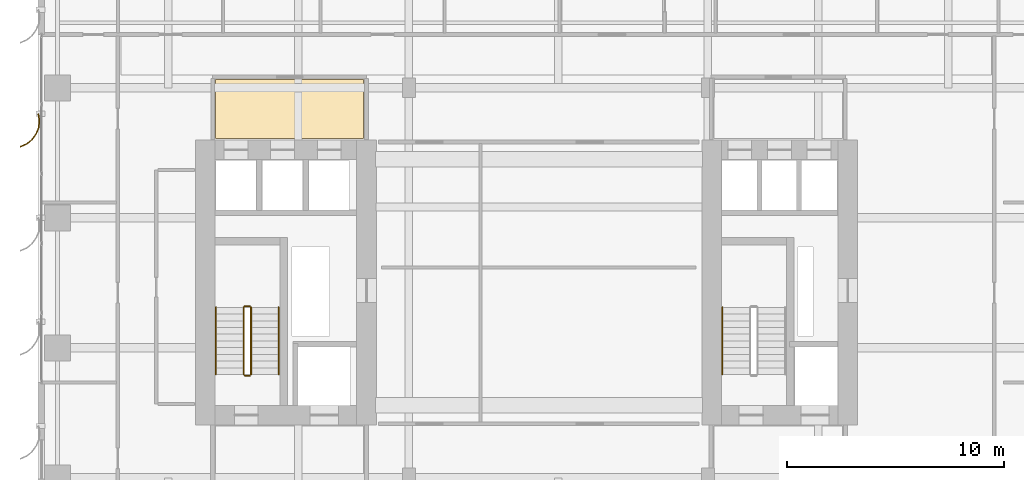
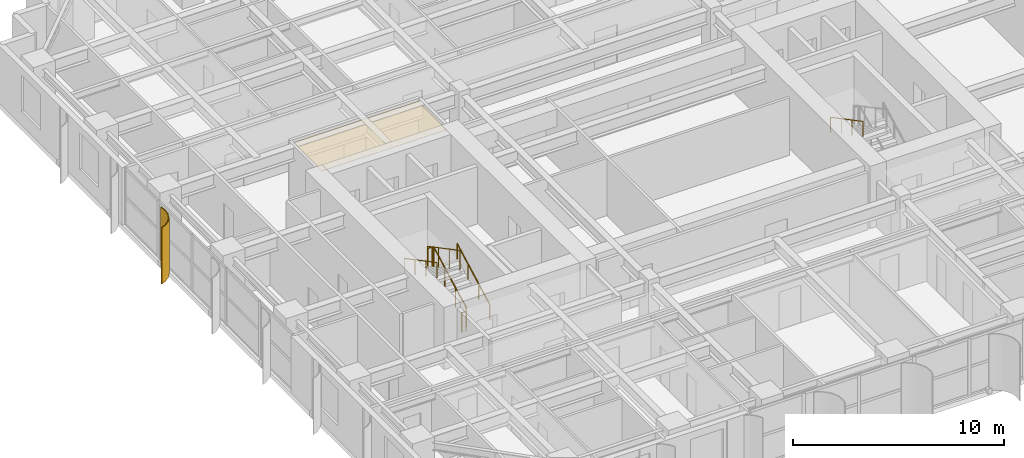
# One storey, part 21 of 23: 7 railings, 1 covering, 1 shading device.
"""IFC4 building model written with IfcOpenShell, lengths in metres."""

from ifc_helpers import new_model, si_unit, direction, frame, origin, origin_2d, place, context, subcontext, project, spatial, polyline, circle, outline, extrude, source, transform, mapped, material, layer, layer_set, type_object, element, save


model = new_model("IFC4")

# Units and contexts
model_context = context("Model", 3, precision=1e-05, world=origin(), true_north=direction((0.0, 1.0)))
body_context = subcontext(model_context, "Body", "Model", "MODEL_VIEW")
ifc_project = project(units=[si_unit("LENGTHUNIT", "METRE"), si_unit("AREAUNIT", "SQUARE_METRE"), si_unit("VOLUMEUNIT", "CUBIC_METRE"), si_unit("PLANEANGLEUNIT", "RADIAN"), si_unit("MASSUNIT", "GRAM", prefix="KILO")], contexts=[model_context])

# Site, building, storey
site_placement = place(None, origin())
site = spatial("IfcSite", under=ifc_project, at=site_placement, CompositionType="ELEMENT")
building_placement = place(site_placement, origin())
building = spatial("IfcBuilding", under=site, at=building_placement, Name="Khoralis Quay Care Tower", CompositionType="ELEMENT")
storey_placement = place(building_placement, frame((0.0, 0.0, 36.89990234375)))
storey = spatial("IfcBuildingStorey", under=building, at=storey_placement, Name="L09", CompositionType="ELEMENT", Elevation=36.89990234375)

# Covering
ifc_material_1 = material(Name="Mineral-fibre acoustic ceiling tile")
ifc_layer_1 = layer(ifc_material_1, 0.01806640625)
ifc_layer_set_1 = layer_set([ifc_layer_1], Name="Mineral-fibre acoustic ceiling tile")
covering_type = type_object("IfcCoveringType", Name="COV-CEIL-AC18", PredefinedType="CEILING", material=ifc_layer_set_1)
covering_placement = place(storey_placement, frame((0.0, 0.0, 3.172119140625)))
element("IfcCovering", 1, at=covering_placement, inside=storey, type_object=covering_type, Name="Suspended Acoustic Ceiling SP-L09-LLOB-W", PredefinedType="CEILING", context=body_context, shape_type="SweptSolid", body=[
    extrude(outline(polyline([(8.179931640625, 27.64990234375), (15.02001953125, 27.64990234375), (15.02001953125, 30.389892578125), (8.179931640625, 30.389892578125), (8.179931640625, 27.64990234375)])), origin(), (0.0, 0.0, 1.0), 0.01806640625),
])

# Railings
ifc_material_2 = material(Name="Brushed stainless steel", Category="steel")
railing_type_1 = type_object("IfcRailingType", Name="RL-GUARD-1150", PredefinedType="GUARDRAIL", material=ifc_material_2)
railing_1_placement = place(storey_placement, frame((9.820068359375, 16.77001953125, 0.163818359375)))
element("IfcRailing", 2, at=railing_1_placement, inside=storey, type_object=railing_type_1, Name="L09 ST-T1 stair guard 1", PredefinedType="GUARDRAIL", context=body_context, shape_type="SweptSolid", body=[
    extrude(circle(Radius=0.02392578125, at=origin_2d()), frame((0.0, 0.0, 1.1259765625), z_axis=(0.0, 0.884376766648, 0.46677375099), x_axis=(-1.0, 0.0, 0.0)), (0.0, 0.0, 1.0), 3.50537109375),
    extrude(circle(Radius=0.02099609375, at=origin_2d()), origin(), (0.0, 0.0, 1.0), 1.101806640625),
    extrude(circle(Radius=0.02099609375, at=origin_2d()), frame((0.0, 1.033447265625, 0.54541015625)), (0.0, 0.0, 1.0), 1.101806640625),
    extrude(circle(Radius=0.02099609375, at=origin_2d()), frame((0.0, 2.066650390625, 1.0908203125)), (0.0, 0.0, 1.0), 1.101806640625),
    extrude(circle(Radius=0.02099609375, at=origin_2d()), frame((0.0, 3.10009765625, 1.63623046875)), (0.0, 0.0, 1.0), 1.101806640625),
])
railing_2_placement = place(storey_placement, frame((9.77001953125, 19.919921875, 1.800048828125)))
element("IfcRailing", 3, at=railing_2_placement, inside=storey, type_object=railing_type_1, Name="L09 ST-T1 stair guard 2", PredefinedType="GUARDRAIL", context=body_context, shape_type="SweptSolid", body=[
    extrude(circle(Radius=0.02392578125, at=origin_2d()), frame((0.0, 0.0, 1.1259765625), z_axis=(-1.0, 0.0, 0.0), x_axis=(0.0, -1.0, 0.0)), (0.0, 0.0, 1.0), 0.239990234375),
    extrude(circle(Radius=0.02099609375, at=origin_2d()), origin(), (0.0, 0.0, 1.0), 1.101806640625),
    extrude(circle(Radius=0.02099609375, at=origin_2d()), frame((-0.239990234375, 0.0, 0.0)), (0.0, 0.0, 1.0), 1.101806640625),
])
railing_3_placement = place(storey_placement, frame((9.47998046875, 19.8701171875, 1.963623046875)))
element("IfcRailing", 4, at=railing_3_placement, inside=storey, type_object=railing_type_1, Name="L09 ST-T1 stair guard 3", PredefinedType="GUARDRAIL", context=body_context, shape_type="SweptSolid", body=[
    extrude(circle(Radius=0.02392578125, at=origin_2d()), frame((0.0, 0.0, 1.1259765625), z_axis=(0.0, -0.884348015382, 0.466828220752), x_axis=(1.0, 0.0, 0.0)), (0.0, 0.0, 1.0), 3.505615234375),
    extrude(circle(Radius=0.02099609375, at=origin_2d()), origin(), (0.0, 0.0, 1.0), 1.101806640625),
    extrude(circle(Radius=0.02099609375, at=origin_2d()), frame((0.0, -1.033447265625, 0.54541015625)), (0.0, 0.0, 1.0), 1.101806640625),
    extrude(circle(Radius=0.02099609375, at=origin_2d()), frame((0.0, -2.066650390625, 1.091064453125)), (0.0, 0.0, 1.0), 1.101806640625),
    extrude(circle(Radius=0.02099609375, at=origin_2d()), frame((0.0, -3.10009765625, 1.636474609375)), (0.0, 0.0, 1.0), 1.101806640625),
])
railing_4_placement = place(storey_placement, frame((9.77001953125, 16.719970703125, 0.0)))
element("IfcRailing", 5, at=railing_4_placement, inside=storey, type_object=railing_type_1, Name="L09 ST-T1 stair guard 4", PredefinedType="GUARDRAIL", context=body_context, shape_type="SweptSolid", body=[
    extrude(circle(Radius=0.02392578125, at=origin_2d()), frame((0.0, 0.0, 1.1259765625), z_axis=(-1.0, 0.0, 0.0), x_axis=(0.0, -1.0, 0.0)), (0.0, 0.0, 1.0), 0.239990234375),
    extrude(circle(Radius=0.02099609375, at=origin_2d()), origin(), (0.0, 0.0, 1.0), 1.101806640625),
    extrude(circle(Radius=0.02099609375, at=origin_2d()), frame((-0.239990234375, 0.0, 0.0)), (0.0, 0.0, 1.0), 1.101806640625),
])
railing_type_2 = type_object("IfcRailingType", Name="RL-HAND-900", PredefinedType="HANDRAIL", material=ifc_material_2)
railing_5_placement = place(storey_placement, frame((11.10009765625, 16.77001953125, 0.163818359375)))
element("IfcRailing", 6, at=railing_5_placement, inside=storey, type_object=railing_type_2, Name="L09 ST-T1 stair handrail 1", PredefinedType="HANDRAIL", context=body_context, shape_type="SweptSolid", body=[
    extrude(circle(Radius=0.02392578125, at=origin_2d()), frame((0.0, 0.0, 0.8759765625), z_axis=(0.0, 0.884376766648, 0.46677375099), x_axis=(-1.0, 0.0, 0.0)), (0.0, 0.0, 1.0), 3.50537109375),
    extrude(circle(Radius=0.02099609375, at=origin_2d()), origin(), (0.0, 0.0, 1.0), 0.851806640625),
    extrude(circle(Radius=0.02099609375, at=origin_2d()), frame((0.0, 1.033447265625, 0.54541015625)), (0.0, 0.0, 1.0), 0.851806640625),
    extrude(circle(Radius=0.02099609375, at=origin_2d()), frame((0.0, 2.066650390625, 1.0908203125)), (0.0, 0.0, 1.0), 0.851806640625),
    extrude(circle(Radius=0.02099609375, at=origin_2d()), frame((0.0, 3.10009765625, 1.63623046875)), (0.0, 0.0, 1.0), 0.851806640625),
])
for number, where, name in (
    (7, (8.199951171875, 19.8701171875, 1.963623046875), "L09 ST-T1 stair handrail 2"),
    (8, (31.570068359375, 19.8701171875, 1.963623046875), "L09 ST-T2 stair handrail 2"),
):
    element("IfcRailing", number, at=place(storey_placement, frame(where)), inside=storey, type_object=railing_type_2, Name=name, PredefinedType="HANDRAIL", context=body_context, shape_type="SweptSolid", body=[
        extrude(circle(Radius=0.02392578125, at=origin_2d()), frame((0.0, 0.0, 0.8759765625), z_axis=(0.0, -0.884348015382, 0.466828220752), x_axis=(1.0, 0.0, 0.0)), (0.0, 0.0, 1.0), 3.505615234375),
        extrude(circle(Radius=0.02099609375, at=origin_2d()), origin(), (0.0, 0.0, 1.0), 0.851806640625),
        extrude(circle(Radius=0.02099609375, at=origin_2d()), frame((0.0, -1.033447265625, 0.54541015625)), (0.0, 0.0, 1.0), 0.851806640625),
        extrude(circle(Radius=0.02099609375, at=origin_2d()), frame((0.0, -2.066650390625, 1.091064453125)), (0.0, 0.0, 1.0), 0.851806640625),
        extrude(circle(Radius=0.02099609375, at=origin_2d()), frame((0.0, -3.10009765625, 1.636474609375)), (0.0, 0.0, 1.0), 0.851806640625),
    ])

# Shading device
ifc_material_3 = material(Name="Brushed pale anodised aluminium", Category="aluminium")
ifc_layer_2 = layer(ifc_material_3, 0.044921875)
ifc_layer_set_2 = layer_set([ifc_layer_2], Name="Brushed pale anodised aluminium")
shading_device_type = type_object("IfcShadingDeviceType", Name="SHD-FIN-1250", PredefinedType="USERDEFINED", material=ifc_layer_set_2)
shared_shape = source(origin(), body_context, "Body", "SweptSolid", [
    extrude(outline(polyline([(0.0, 0.0), (-0.04833984375, 0.32275390625), (-0.01123046875, 0.64697265625), (0.1083984375, 0.950439453125), (0.302490234375, 1.212890625), (0.557861328125, 1.416015625), (0.85693359375, 1.546142578125), (0.869384765625, 1.5029296875), (0.5810546875, 1.37744140625), (0.334716796875, 1.181640625), (0.147705078125, 0.9287109375), (0.032470703125, 0.635986328125), (-0.003173828125, 0.323486328125), (0.043212890625, 0.012451171875), (0.0, 0.0)])), origin(), (0.0, 0.0, 1.0), 3.260009765625),
])
shading_device_placement = place(storey_placement, frame((0.030029296875, 28.800048828125, 0.02001953125), z_axis=(0.0, 0.0, 1.0), x_axis=(-1.0, 0.0, 0.0)))
element("IfcShadingDevice", 9, at=shading_device_placement, inside=storey, type_object=shading_device_type, Name="L09 Curved Solar Fin P1E15-03", ObjectType="FIN", PredefinedType="USERDEFINED", context=body_context, shape_type="MappedRepresentation", body=[
    mapped(shared_shape, transform((0.0, 0.0, 0.0), scale=1.0)),
])

save(model, "model.ifc")
